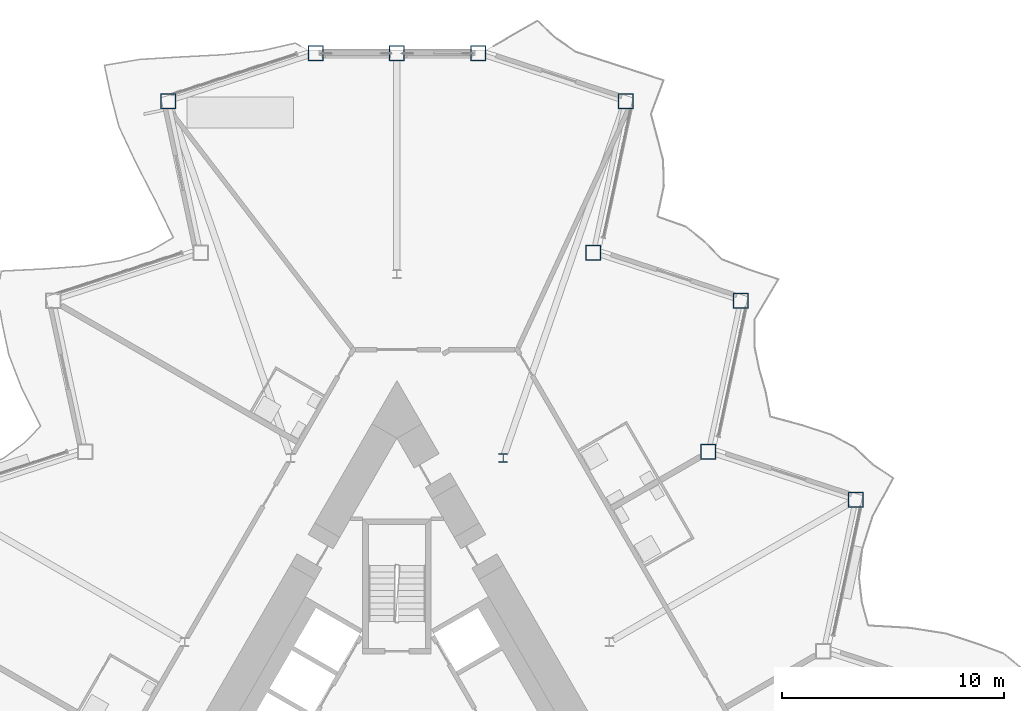
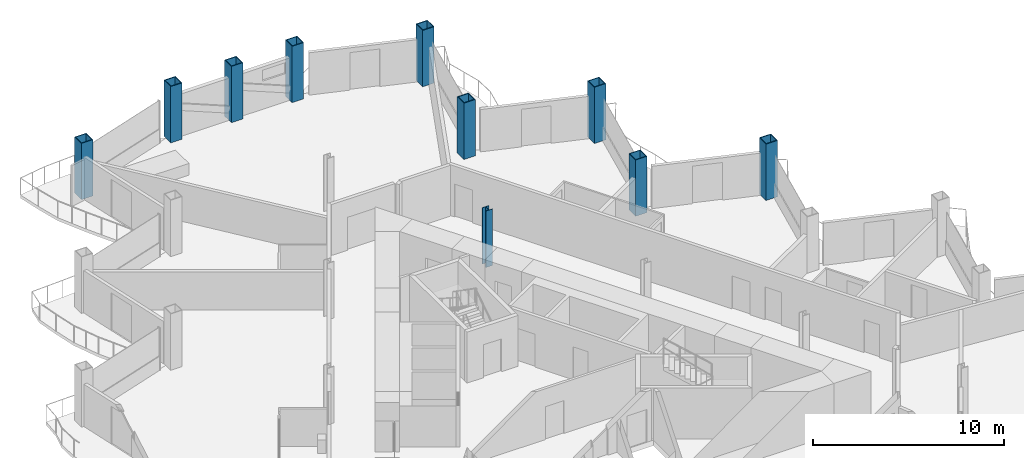
# One storey, part 3 of 23: 10 columns.
"""IFC4 building model written with IfcOpenShell, lengths in metres."""

from ifc_helpers import new_model, si_unit, direction, frame, origin, origin_2d, place, context, subcontext, project, spatial, hollow_rectangle, i_section, extrude, material, material_profile, profile_set, type_object, element, save


model = new_model("IFC4")

# Units and contexts
model_context = context("Model", 3, precision=1e-05, world=origin(), true_north=direction((0.0, 1.0)))
body_context = subcontext(model_context, "Body", "Model", "MODEL_VIEW")
ifc_project = project(units=[si_unit("LENGTHUNIT", "METRE"), si_unit("AREAUNIT", "SQUARE_METRE"), si_unit("VOLUMEUNIT", "CUBIC_METRE"), si_unit("PLANEANGLEUNIT", "RADIAN"), si_unit("MASSUNIT", "GRAM", prefix="KILO")], contexts=[model_context])

# Site, building, storey
site_placement = place(None, origin())
site = spatial("IfcSite", under=ifc_project, at=site_placement, CompositionType="ELEMENT")
building_placement = place(site_placement, origin())
building = spatial("IfcBuilding", under=site, at=building_placement, Name="Cormorant Prow Tower", CompositionType="ELEMENT")
storey_placement = place(building_placement, frame((0.0, 0.0, 256.199951171875)))
storey = spatial("IfcBuildingStorey", under=building, at=storey_placement, Name="L57", CompositionType="ELEMENT", Elevation=256.199951171875)

# Columns
ifc_material_1 = material(Name="Structural steel ASTM A572 Gr 50", Category="steel")
ifc_material_profile_1 = material_profile(ifc_material_1, hollow_rectangle(XDim=0.699951171875, YDim=0.699951171875, WallThickness=0.044921875, at=origin_2d()), Name="Box 700x700x45")
ifc_profile_set_1 = profile_set([ifc_material_profile_1], Name="Structural steel ASTM A572 Gr 50")
column_type_1 = type_object("IfcColumnType", Name="Perimeter box column 700x700x45", PredefinedType="COLUMN", material=ifc_profile_set_1)
for number, where, z_axis, x_axis, name in (
    (1, (20.686767578125, 11.943359375, 0.0), (0.0, 0.0, 1.0), (1.0, 0.0, 0.0), "Perimeter column C5 at ENE05 L57"),
    (2, (14.046875, 14.100830078125, 0.0), (0.0, 0.0, 1.0), (1.0, 0.0, 0.0), "Perimeter column C5 at ENE06 L57"),
    (3, (15.49853515625, 20.9296875, 0.0), (0.0, 0.0, 1.0), (1.0, 0.0, 0.0), "Perimeter column C5 at ENE07 L57"),
    (4, (8.858642578125, 23.087158203125, 0.0), (0.0, 0.0, 1.0), (1.0, 0.0, 0.0), "Perimeter column C5 at ENE08 L57"),
    (5, (10.310302734375, 29.916015625, 0.0), (0.0, 0.0, 1.0), (1.0, 0.0, 0.0), "Perimeter column C5 at ENE09 L57"),
    (6, (3.67041015625, 32.073486328125, 0.0), (0.0, 0.0, 1.0), (1.0, 0.0, 0.0), "Perimeter column C5 at N00 L57"),
    (7, (0.0, 32.073486328125, 0.0), (0.0, 0.0, 1.0), (1.0, 0.0, 0.0), "Perimeter column C5 at N01 L57"),
    (8, (-3.67041015625, 32.073486328125, 0.0), (0.0, 0.0, 1.0), (1.0, 0.0, 0.0), "Perimeter column C5 at WNW00 L57"),
    (9, (-10.310302734375, 29.916015625, 0.0), (0.0, 0.0, 1.0), (1.0, 0.0, 0.0), "Perimeter column C5 at WNW01 L57"),
):
    element("IfcColumn", number, at=place(storey_placement, frame(where, z_axis=z_axis, x_axis=x_axis)), inside=storey, type_object=column_type_1, Name=name, PredefinedType="COLUMN", context=body_context, shape_type="SweptSolid", body=[
        extrude(hollow_rectangle(XDim=0.699951171875, YDim=0.699951171875, WallThickness=0.044921875, at=origin_2d()), origin(), (0.0, 0.0, 1.0), 3.60009765625),
    ])
ifc_material_2 = material(Name="Structural steel ASTM A992 Gr 50", Category="steel")
ifc_material_profile_2 = material_profile(ifc_material_2, i_section(OverallWidth=0.39892578125, OverallDepth=0.393310546875, WebThickness=0.022705078125, FlangeThickness=0.03662109375, at=origin_2d()), Name="W14x193")
ifc_profile_set_2 = profile_set([ifc_material_profile_2], Name="Structural steel ASTM A992 Gr 50")
column_type_2 = type_object("IfcColumnType", Name="Ring column W14x193", PredefinedType="COLUMN", material=ifc_profile_set_2)
column_placement = place(storey_placement, frame((4.789306640625, 13.8251953125, 0.0), z_axis=(0.0, 0.0, 1.0), x_axis=(1.0, 0.0, 0.0)))
element("IfcColumn", 10, at=column_placement, inside=storey, type_object=column_type_2, Name="Ring column 12 L57", PredefinedType="COLUMN", context=body_context, shape_type="SweptSolid", body=[
    extrude(i_section(OverallWidth=0.39892578125, OverallDepth=0.393310546875, WebThickness=0.022705078125, FlangeThickness=0.03662109375, at=origin_2d()), origin(), (0.0, 0.0, 1.0), 3.60009765625),
])

save(model, "model.ifc")
